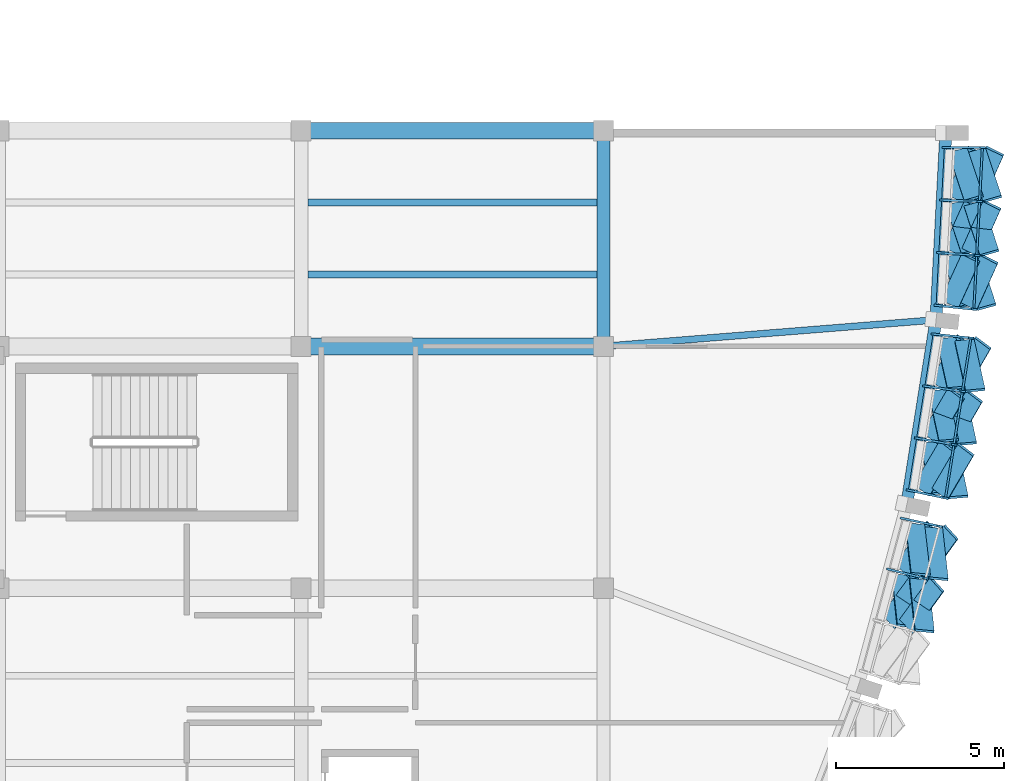
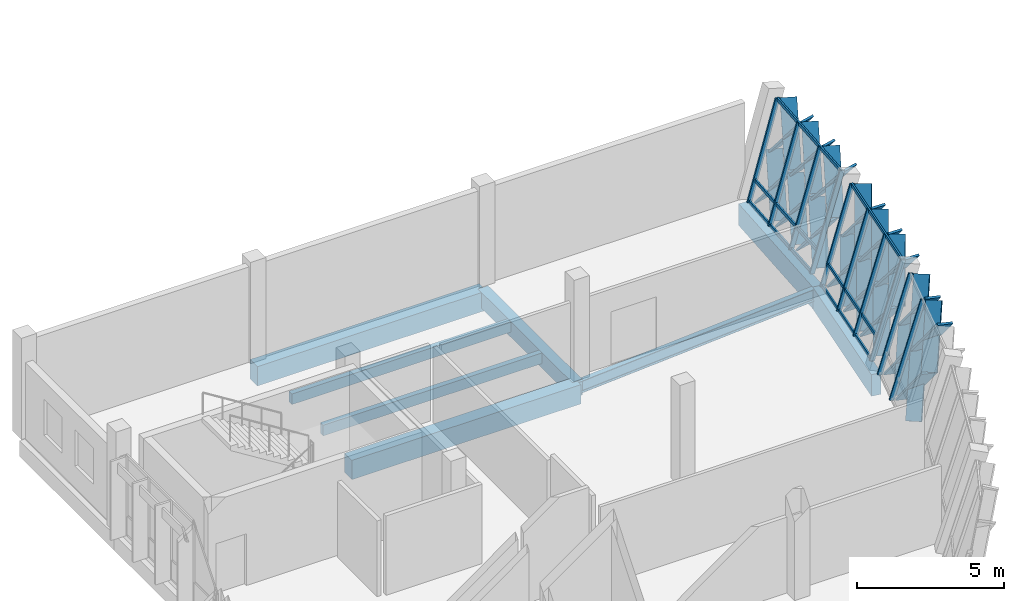
# One storey, part 57 of 107: 48 members, 8 beams, 3 elements without a shape of their own.
"""IFC4 building model written with IfcOpenShell, lengths in metres."""

from ifc_helpers import new_model, si_unit, direction, frame, origin, origin_2d, place, context, subcontext, project, spatial, rectangle, hollow_rectangle, i_section, extrude, material, material_profile, profile_set, type_object, element, aggregate, save


model = new_model("IFC4")

# Units and contexts
model_context = context("Model", 3, precision=1e-05, world=origin(), true_north=direction((0.0, 1.0)))
body_context = subcontext(model_context, "Body", "Model", "MODEL_VIEW")
ifc_project = project(units=[si_unit("LENGTHUNIT", "METRE"), si_unit("AREAUNIT", "SQUARE_METRE"), si_unit("VOLUMEUNIT", "CUBIC_METRE"), si_unit("PLANEANGLEUNIT", "RADIAN"), si_unit("MASSUNIT", "GRAM", prefix="KILO")], contexts=[model_context])

# Site, building, storey
site_placement = place(None, origin())
site = spatial("IfcSite", under=ifc_project, at=site_placement, CompositionType="ELEMENT")
building_placement = place(site_placement, origin())
building = spatial("IfcBuilding", under=site, at=building_placement, Name="Chiffa Square Polytechnic", CompositionType="ELEMENT")
storey_placement = place(building_placement, frame((0.0, 0.0, 13.800048828125)))
storey = spatial("IfcBuildingStorey", under=building, at=storey_placement, Name="L03", CompositionType="ELEMENT", Elevation=13.800048828125)

# Beams
ifc_material_1 = material(Name="Concrete C35/45", Category="concrete")
ifc_material_profile_1 = material_profile(ifc_material_1, rectangle(XDim=0.39990234375, YDim=0.64990234375, at=origin_2d()), Name="RC 400x650")
ifc_profile_set_1 = profile_set([ifc_material_profile_1], Name="Concrete C35/45")
beam_type_1 = type_object("IfcBeamType", Name="BM-RC-400X650", PredefinedType="BEAM", material=ifc_profile_set_1)
beam_1_placement = place(storey_placement, frame((166.199951171875, 51.0, -0.5849609375), z_axis=(0.0, 1.0, 0.0), x_axis=(-1.0, 0.0, 0.0)))
element("IfcBeam", 1, at=beam_1_placement, inside=storey, type_object=beam_type_1, Name="Primary floor girder BM-V1-L03-Y-1662-0510", PredefinedType="BEAM", context=body_context, shape_type="SweptSolid", body=[
    extrude(rectangle(XDim=0.39990234375, YDim=0.64990234375, at=origin_2d()), origin(), (0.0, 0.0, 1.0), 6.419921875),
])
ifc_material_2 = material(Name="Concrete C40/50", Category="concrete")
ifc_material_profile_2 = material_profile(ifc_material_2, rectangle(XDim=0.5, YDim=0.800048828125, at=origin_2d()), Name="RC 500x800")
ifc_profile_set_2 = profile_set([ifc_material_profile_2], Name="Concrete C40/50")
beam_type_2 = type_object("IfcBeamType", Name="BM-RC-500X800", PredefinedType="BEAM", material=ifc_profile_set_2)
for number, where, z_axis, x_axis, name in (
    (2, (157.199951171875, 51.0, -0.66015625), (1.0, 0.0, 0.0), (0.0, 1.0, 0.0), "Primary floor girder BM-V1-L03-X-1572-0510"),
    (3, (157.199951171875, 57.419921875, -0.66015625), (1.0, 0.0, 0.0), (0.0, 1.0, 0.0), "Primary floor girder BM-V1-L03-X-1572-0574"),
):
    element("IfcBeam", number, at=place(storey_placement, frame(where, z_axis=z_axis, x_axis=x_axis)), inside=storey, type_object=beam_type_2, Name=name, PredefinedType="BEAM", context=body_context, shape_type="SweptSolid", body=[
        extrude(rectangle(XDim=0.5, YDim=0.800048828125, at=origin_2d()), origin(), (0.0, 0.0, 1.0), 9.0),
    ])
ifc_material_3 = material(Name="Steel S355", Category="steel")
ifc_material_profile_3 = material_profile(ifc_material_3, i_section(OverallWidth=0.199951171875, OverallDepth=0.5, WebThickness=0.01025390625, FlangeThickness=0.01611328125, FilletRadius=0.02099609375, at=origin_2d()), Name="IPE 500")
ifc_profile_set_3 = profile_set([ifc_material_profile_3], Name="Steel S355")
beam_type_3 = type_object("IfcBeamType", Name="BM-STL-IPE500", PredefinedType="BEAM", material=ifc_profile_set_3)
beam_2_placement = place(storey_placement, frame((176.096923828125, 51.7900390625, -0.510009765625), z_axis=(-0.996829024707, -0.079573208445, 0.0), x_axis=(0.079573208445, -0.996829024707, 0.0)))
element("IfcBeam", 4, at=beam_2_placement, inside=storey, type_object=beam_type_3, Name="Prow radial tie girder BM-V1-RAD-L03-17", PredefinedType="BEAM", context=body_context, shape_type="SweptSolid", body=[
    extrude(i_section(OverallWidth=0.199951171875, OverallDepth=0.5, WebThickness=0.01025390625, FlangeThickness=0.01611328125, FilletRadius=0.02099609375, at=origin_2d()), origin(), (0.0, 0.0, 1.0), 9.928466796875),
])

# Curtain wall, members
ifc_material_4 = material(Name="Aluminium EN AW-6060 T66 and glulam shading", Category="wood")
curtain_wall_type_1 = type_object("IfcCurtainWallType", Name="CW-PROW-LEAN-150", PredefinedType="USERDEFINED", material=ifc_material_4)
curtain_wall_1_placement = place(storey_placement, origin())
curtain_wall_1 = element("IfcCurtainWall", 5, at=curtain_wall_1_placement, inside=storey, type_object=curtain_wall_type_1, Name="Outward-leaning diamond-fin prow curtain wall CW-V1-L03-058", ObjectType="CURTAIN WALL", PredefinedType="USERDEFINED")
ifc_material_5 = material(Name="Aluminium EN AW-6060 T66", Category="aluminium")
ifc_material_profile_4 = material_profile(ifc_material_5, hollow_rectangle(XDim=0.06494140625, YDim=0.179931640625, WallThickness=0.00390625, at=origin_2d()), Name="ALU 65x180x4")
ifc_profile_set_4 = profile_set([ifc_material_profile_4], Name="Aluminium EN AW-6060 T66")
member_type_1 = type_object("IfcMemberType", Name="CWM-ALU-75X180", PredefinedType="MULLION", material=ifc_profile_set_4)
member_1_placement = place(storey_placement, frame((174.708740234375, 44.3603515625, 0.0), z_axis=(0.263895484558, -0.065617897015, 0.962316717521), x_axis=(0.241303373084, 0.970449731897, 0.0)))
member_1 = element("IfcMember", 6, at=member_1_placement, type_object=member_type_1, Name="Leaning prow mullion CW-V1-L03-058-M02", PredefinedType="MULLION", context=body_context, shape_type="SweptSolid", body=[
    extrude(hollow_rectangle(XDim=0.06494140625, YDim=0.179931640625, WallThickness=0.00390625, at=origin_2d()), origin(), (0.0, 0.0, 1.0), 4.114990234375),
])
member_2_placement = place(storey_placement, frame((175.114990234375, 45.8759765625, 0.0), z_axis=(0.266306565017, -0.056358038932, 0.962239359451), x_axis=(0.207042834628, 0.978331878572, 0.0)))
member_2 = element("IfcMember", 7, at=member_2_placement, type_object=member_type_1, Name="Leaning prow mullion CW-V1-L03-058-M03", PredefinedType="MULLION", context=body_context, shape_type="SweptSolid", body=[
    extrude(hollow_rectangle(XDim=0.06494140625, YDim=0.179931640625, WallThickness=0.00390625, at=origin_2d()), origin(), (0.0, 0.0, 1.0), 4.115478515625),
])

curtain_wall_type_2 = type_object("IfcCurtainWallType", Name="CW-PROW-LEAN-300", PredefinedType="USERDEFINED", material=ifc_material_4)
curtain_wall_2_placement = place(storey_placement, origin())
curtain_wall_2 = element("IfcCurtainWall", 8, at=curtain_wall_2_placement, inside=storey, type_object=curtain_wall_type_2, Name="Outward-leaning diamond-fin prow curtain wall CW-V1-L03-059", ObjectType="CURTAIN WALL", PredefinedType="USERDEFINED")
member_3_placement = place(storey_placement, frame((175.29296875, 46.716064453125, 0.0), z_axis=(0.266305674184, -0.05641717446, 0.962236140624), x_axis=(0.207251417962, 0.978287713177, 0.0)))
member_3 = element("IfcMember", 9, at=member_3_placement, type_object=member_type_1, Name="Leaning prow mullion CW-V1-L03-059-M00", PredefinedType="MULLION", context=body_context, shape_type="SweptSolid", body=[
    extrude(hollow_rectangle(XDim=0.06494140625, YDim=0.179931640625, WallThickness=0.00390625, at=origin_2d()), origin(), (0.0, 0.0, 1.0), 4.115478515625),
])
member_4_placement = place(storey_placement, frame((175.538818359375, 48.265625, 0.0), z_axis=(0.267867637167, -0.047047405598, 0.962306328871), x_axis=(0.172988828933, 0.984923786424, 0.0)))
member_4 = element("IfcMember", 10, at=member_4_placement, type_object=member_type_1, Name="Leaning prow mullion CW-V1-L03-059-M01", PredefinedType="MULLION", context=body_context, shape_type="SweptSolid", body=[
    extrude(hollow_rectangle(XDim=0.06494140625, YDim=0.179931640625, WallThickness=0.00390625, at=origin_2d()), origin(), (0.0, 0.0, 1.0), 4.114990234375),
])
member_5_placement = place(storey_placement, frame((175.7841796875, 49.815185546875, 0.0), z_axis=(0.269459930796, -0.037731509464, 0.962272143881), x_axis=(0.138673506328, 0.990338153684, 0.0)))
member_5 = element("IfcMember", 11, at=member_5_placement, type_object=member_type_1, Name="Leaning prow mullion CW-V1-L03-059-M02", PredefinedType="MULLION", context=body_context, shape_type="SweptSolid", body=[
    extrude(hollow_rectangle(XDim=0.06494140625, YDim=0.179931640625, WallThickness=0.00390625, at=origin_2d()), origin(), (0.0, 0.0, 1.0), 4.115234375),
])
member_6_placement = place(storey_placement, frame((176.030029296875, 51.364990234375, 0.0), z_axis=(0.270917977705, -0.028414651045, 0.96218296439), x_axis=(0.10431069409, 0.994544759726, 0.0)))
member_6 = element("IfcMember", 12, at=member_6_placement, type_object=member_type_1, Name="Leaning prow mullion CW-V1-L03-059-M03", PredefinedType="MULLION", context=body_context, shape_type="SweptSolid", body=[
    extrude(hollow_rectangle(XDim=0.06494140625, YDim=0.179931640625, WallThickness=0.00390625, at=origin_2d()), origin(), (0.0, 0.0, 1.0), 4.11572265625),
])

curtain_wall_3_placement = place(storey_placement, origin())
curtain_wall_3 = element("IfcCurtainWall", 13, at=curtain_wall_3_placement, inside=storey, type_object=curtain_wall_type_1, Name="Outward-leaning diamond-fin prow curtain wall CW-V1-L03-060", ObjectType="CURTAIN WALL", PredefinedType="USERDEFINED")
member_7_placement = place(storey_placement, frame((176.118896484375, 52.218994140625, 0.0), z_axis=(0.270917977705, -0.028414651045, 0.96218296439), x_axis=(0.10431069409, 0.994544759726, 0.0)))
member_7 = element("IfcMember", 14, at=member_7_placement, type_object=member_type_1, Name="Leaning prow mullion CW-V1-L03-060-M00", PredefinedType="MULLION", context=body_context, shape_type="SweptSolid", body=[
    extrude(hollow_rectangle(XDim=0.06494140625, YDim=0.179931640625, WallThickness=0.00390625, at=origin_2d()), origin(), (0.0, 0.0, 1.0), 4.11572265625),
])
member_8_placement = place(storey_placement, frame((176.201416015625, 53.786376953125, 0.0), z_axis=(0.271418287686, -0.018984448538, 0.962274235249), x_axis=(0.069774881775, 0.997562762874, 0.0)))
member_8 = element("IfcMember", 15, at=member_8_placement, type_object=member_type_1, Name="Leaning prow mullion CW-V1-L03-060-M01", PredefinedType="MULLION", context=body_context, shape_type="SweptSolid", body=[
    extrude(hollow_rectangle(XDim=0.06494140625, YDim=0.179931640625, WallThickness=0.00390625, at=origin_2d()), origin(), (0.0, 0.0, 1.0), 4.115234375),
])
member_9_placement = place(storey_placement, frame((176.28369140625, 55.353759765625, 0.0), z_axis=(0.271894590821, -0.009492283337, 0.96228022324), x_axis=(0.034890373836, 0.999391145555, 0.0)))
member_9 = element("IfcMember", 16, at=member_9_placement, type_object=member_type_1, Name="Leaning prow mullion CW-V1-L03-060-M02", PredefinedType="MULLION", context=body_context, shape_type="SweptSolid", body=[
    extrude(hollow_rectangle(XDim=0.06494140625, YDim=0.179931640625, WallThickness=0.00390625, at=origin_2d()), origin(), (0.0, 0.0, 1.0), 4.115234375),
])
member_10_placement = place(storey_placement, frame((176.365966796875, 56.9208984375, 0.0), z_axis=(0.272401220417, 0.0, 0.962183753301), x_axis=(0.0, 1.0, 0.0)))
member_10 = element("IfcMember", 17, at=member_10_placement, type_object=member_type_1, Name="Leaning prow mullion CW-V1-L03-060-M03", PredefinedType="MULLION", context=body_context, shape_type="SweptSolid", body=[
    extrude(hollow_rectangle(XDim=0.06494140625, YDim=0.179931640625, WallThickness=0.00390625, at=origin_2d()), origin(), (0.0, 0.0, 1.0), 4.115478515625),
])

# Member
ifc_material_6 = material(Name="Glulam GL28h", Category="wood")
ifc_material_profile_5 = material_profile(ifc_material_6, rectangle(XDim=0.080078125, YDim=0.580078125, at=origin_2d()), Name="GL28h 80x580")
ifc_profile_set_5 = profile_set([ifc_material_profile_5], Name="Glulam GL28h")
member_type_2 = type_object("IfcMemberType", Name="CWM-GL-80X580", PredefinedType="MULLION", material=ifc_profile_set_5)
member_11_placement = place(storey_placement, frame((174.697998046875, 42.827880859375, 0.0400390625), z_axis=(0.363390996904, 0.494819725418, 0.789367102625), x_axis=(-0.659927278286, -0.461350077946, 0.593002607881)))
member_11 = element("IfcMember", 18, at=member_11_placement, type_object=member_type_2, Name="Diamond glulam fin CW-V1-L03-058-DF03A", PredefinedType="MULLION", context=body_context, shape_type="SweptSolid", body=[
    extrude(rectangle(XDim=0.080078125, YDim=0.580078125, at=origin_2d()), origin(), (0.0, 0.0, 1.0), 2.45751953125),
])

member_12_placement = place(storey_placement, frame((175.06005859375, 44.177001953125, 0.0400390625), z_axis=(0.067166332777, -0.610061069902, 0.789502485577), x_axis=(0.17380819568, 0.786344740884, 0.592834428486)))
member_12 = element("IfcMember", 19, at=member_12_placement, type_object=member_type_2, Name="Diamond glulam fin CW-V1-L03-058-DF03B", PredefinedType="MULLION", context=body_context, shape_type="SweptSolid", body=[
    extrude(rectangle(XDim=0.080078125, YDim=0.580078125, at=origin_2d()), origin(), (0.0, 0.0, 1.0), 2.457275390625),
])

member_13_placement = place(storey_placement, frame((175.22509765625, 42.677978515625, 1.97998046875), z_axis=(0.36394670261, 0.499313502276, 0.786275285193), x_axis=(-0.656512264422, -0.461296315113, 0.59682271767)))
member_13 = element("IfcMember", 20, at=member_13_placement, type_object=member_type_2, Name="Diamond glulam fin CW-V1-L03-058-DF04A", PredefinedType="MULLION", context=body_context, shape_type="SweptSolid", body=[
    extrude(rectangle(XDim=0.080078125, YDim=0.580078125, at=origin_2d()), origin(), (0.0, 0.0, 1.0), 2.46728515625),
])

member_14_placement = place(storey_placement, frame((175.591064453125, 44.0439453125, 1.97998046875), z_axis=(0.065604934995, -0.614390710986, 0.786269703574), x_axis=(0.176716982767, 0.782665677221, 0.596829578441)))
member_14 = element("IfcMember", 21, at=member_14_placement, type_object=member_type_2, Name="Diamond glulam fin CW-V1-L03-058-DF04B", PredefinedType="MULLION", context=body_context, shape_type="SweptSolid", body=[
    extrude(rectangle(XDim=0.080078125, YDim=0.580078125, at=origin_2d()), origin(), (0.0, 0.0, 1.0), 2.46728515625),
])

member_15_placement = place(storey_placement, frame((175.10400390625, 44.343994140625, 0.0400390625), z_axis=(0.364146031324, 0.499835427026, 0.785851266946), x_axis=(-0.6561619098, -0.461120630511, 0.597343546248)))
member_15 = element("IfcMember", 22, at=member_15_placement, type_object=member_type_2, Name="Diamond glulam fin CW-V1-L03-058-DF05A", PredefinedType="MULLION", context=body_context, shape_type="SweptSolid", body=[
    extrude(rectangle(XDim=0.080078125, YDim=0.580078125, at=origin_2d()), origin(), (0.0, 0.0, 1.0), 2.468505859375),
])

member_16_placement = place(storey_placement, frame((175.466064453125, 45.693115234375, 0.0400390625), z_axis=(0.069864285951, -0.605124522455, 0.793059451663), x_axis=(0.16925244246, 0.790666168987, 0.588388154147)))
member_16 = element("IfcMember", 23, at=member_16_placement, type_object=member_type_2, Name="Diamond glulam fin CW-V1-L03-058-DF05B", PredefinedType="MULLION", context=body_context, shape_type="SweptSolid", body=[
    extrude(rectangle(XDim=0.080078125, YDim=0.580078125, at=origin_2d()), origin(), (0.0, 0.0, 1.0), 2.446044921875),
])

member_17_placement = place(storey_placement, frame((175.636962890625, 44.212890625, 1.97998046875), z_axis=(0.363977470222, 0.504840198887, 0.782723945436), x_axis=(-0.652102833416, -0.461915301228, 0.601162331773)))
member_17 = element("IfcMember", 24, at=member_17_placement, type_object=member_type_2, Name="Diamond glulam fin CW-V1-L03-058-DF06A", PredefinedType="MULLION", context=body_context, shape_type="SweptSolid", body=[
    extrude(rectangle(XDim=0.080078125, YDim=0.580078125, at=origin_2d()), origin(), (0.0, 0.0, 1.0), 2.478515625),
])

member_18_placement = place(storey_placement, frame((176.0029296875, 45.577880859375, 1.97998046875), z_axis=(0.067598816287, -0.609482856849, 0.789912050322), x_axis=(0.173132135524, 0.786877464616, 0.592325180393)))
member_18 = element("IfcMember", 25, at=member_18_placement, type_object=member_type_2, Name="Diamond glulam fin CW-V1-L03-058-DF06B", PredefinedType="MULLION", context=body_context, shape_type="SweptSolid", body=[
    extrude(rectangle(XDim=0.080078125, YDim=0.580078125, at=origin_2d()), origin(), (0.0, 0.0, 1.0), 2.455810546875),
])

aggregate(curtain_wall_1, [member_1, member_2, member_11, member_12, member_13, member_14, member_15, member_16, member_17, member_18])

member_19_placement = place(storey_placement, frame((175.68798828125, 46.739990234375, 0.0400390625), z_axis=(0.309823739096, 0.524754603513, 0.792869381919), x_axis=(-0.53285128455, -0.594810176403, 0.601888995247)))
member_19 = element("IfcMember", 26, at=member_19_placement, type_object=member_type_2, Name="Diamond glulam fin CW-V1-L03-059-DF01A", PredefinedType="MULLION", context=body_context, shape_type="SweptSolid", body=[
    extrude(rectangle(XDim=0.080078125, YDim=0.580078125, at=origin_2d()), origin(), (0.0, 0.0, 1.0), 2.44677734375),
])

member_20_placement = place(storey_placement, frame((175.906982421875, 48.1201171875, 0.0400390625), z_axis=(0.128894168684, -0.604605647733, 0.786026910486), x_axis=(-0.008873901091, 0.791903857964, 0.610581307953)))
member_20 = element("IfcMember", 27, at=member_20_placement, type_object=member_type_2, Name="Diamond glulam fin CW-V1-L03-059-DF01B", PredefinedType="MULLION", context=body_context, shape_type="SweptSolid", body=[
    extrude(rectangle(XDim=0.080078125, YDim=0.580078125, at=origin_2d()), origin(), (0.0, 0.0, 1.0), 2.468017578125),
])

member_21_placement = place(storey_placement, frame((176.22509765625, 46.6279296875, 1.97998046875), z_axis=(0.3098308057, 0.52930671811, 0.789834963776), x_axis=(-0.529094868767, -0.594224871683, 0.605768455532)))
member_21 = element("IfcMember", 28, at=member_21_placement, type_object=member_type_2, Name="Diamond glulam fin CW-V1-L03-059-DF02A", PredefinedType="MULLION", context=body_context, shape_type="SweptSolid", body=[
    extrude(rectangle(XDim=0.080078125, YDim=0.580078125, at=origin_2d()), origin(), (0.0, 0.0, 1.0), 2.4560546875),
])

member_22_placement = place(storey_placement, frame((176.446044921875, 48.02392578125, 1.97998046875), z_axis=(0.127490399215, -0.608978483424, 0.782873811565), x_axis=(-0.005327808072, 0.788882906968, 0.614520441935)))
member_22 = element("IfcMember", 29, at=member_22_placement, type_object=member_type_2, Name="Diamond glulam fin CW-V1-L03-059-DF02B", PredefinedType="MULLION", context=body_context, shape_type="SweptSolid", body=[
    extrude(rectangle(XDim=0.080078125, YDim=0.580078125, at=origin_2d()), origin(), (0.0, 0.0, 1.0), 2.47802734375),
])

member_23_placement = place(storey_placement, frame((175.93408203125, 48.2900390625, 0.0400390625), z_axis=(0.309635156266, 0.530164526465, 0.789336205227), x_axis=(-0.528263344578, -0.594318152587, 0.606402318828)))
member_23 = element("IfcMember", 30, at=member_23_placement, type_object=member_type_2, Name="Diamond glulam fin CW-V1-L03-059-DF03A", PredefinedType="MULLION", context=body_context, shape_type="SweptSolid", body=[
    extrude(rectangle(XDim=0.080078125, YDim=0.580078125, at=origin_2d()), origin(), (0.0, 0.0, 1.0), 2.457763671875),
])

member_24_placement = place(storey_placement, frame((176.152099609375, 49.669921875, 0.0400390625), z_axis=(0.131035368342, -0.5997426222, 0.789391233394), x_axis=(-0.013592423992, 0.795095102638, 0.606332436681)))
member_24 = element("IfcMember", 31, at=member_24_placement, type_object=member_type_2, Name="Diamond glulam fin CW-V1-L03-059-DF03B", PredefinedType="MULLION", context=body_context, shape_type="SweptSolid", body=[
    extrude(rectangle(XDim=0.080078125, YDim=0.580078125, at=origin_2d()), origin(), (0.0, 0.0, 1.0), 2.45751953125),
])

member_25_placement = place(storey_placement, frame((176.47412109375, 48.196044921875, 1.97998046875), z_axis=(0.309566570299, 0.534939739728, 0.786134857014), x_axis=(-0.524302696939, -0.593685695197, 0.610445720193)))
member_25 = element("IfcMember", 32, at=member_25_placement, type_object=member_type_2, Name="Diamond glulam fin CW-V1-L03-059-DF04A", PredefinedType="MULLION", context=body_context, shape_type="SweptSolid", body=[
    extrude(rectangle(XDim=0.080078125, YDim=0.580078125, at=origin_2d()), origin(), (0.0, 0.0, 1.0), 2.4677734375),
])

member_26_placement = place(storey_placement, frame((176.695068359375, 49.593017578125, 1.97998046875), z_axis=(0.129255521902, -0.60401719002, 0.786419890528), x_axis=(-0.009565504206, 0.79227633162, 0.610087465438)))
member_26 = element("IfcMember", 33, at=member_26_placement, type_object=member_type_2, Name="Diamond glulam fin CW-V1-L03-059-DF04B", PredefinedType="MULLION", context=body_context, shape_type="SweptSolid", body=[
    extrude(rectangle(XDim=0.080078125, YDim=0.580078125, at=origin_2d()), origin(), (0.0, 0.0, 1.0), 2.466796875),
])

member_27_placement = place(storey_placement, frame((176.178955078125, 49.840087890625, 0.0400390625), z_axis=(0.309964527166, 0.535069589013, 0.785889640351), x_axis=(-0.524449489, -0.593239161817, 0.610753657684)))
member_27 = element("IfcMember", 34, at=member_27_placement, type_object=member_type_2, Name="Diamond glulam fin CW-V1-L03-059-DF05A", PredefinedType="MULLION", context=body_context, shape_type="SweptSolid", body=[
    extrude(rectangle(XDim=0.080078125, YDim=0.580078125, at=origin_2d()), origin(), (0.0, 0.0, 1.0), 2.468505859375),
])

member_28_placement = place(storey_placement, frame((176.39794921875, 51.219970703125, 0.0400390625), z_axis=(0.132813381233, -0.594716568106, 0.792888901036), x_axis=(-0.018011488958, 0.798395527795, 0.601863911082)))
member_28 = element("IfcMember", 35, at=member_28_placement, type_object=member_type_2, Name="Diamond glulam fin CW-V1-L03-059-DF05B", PredefinedType="MULLION", context=body_context, shape_type="SweptSolid", body=[
    extrude(rectangle(XDim=0.080078125, YDim=0.580078125, at=origin_2d()), origin(), (0.0, 0.0, 1.0), 2.44677734375),
])

member_29_placement = place(storey_placement, frame((176.722900390625, 49.764892578125, 1.97998046875), z_axis=(0.309511677469, 0.539921548124, 0.782743408392), x_axis=(-0.520206745008, -0.592916860635, 0.614682469916)))
member_29 = element("IfcMember", 36, at=member_29_placement, type_object=member_type_2, Name="Diamond glulam fin CW-V1-L03-059-DF06A", PredefinedType="MULLION", context=body_context, shape_type="SweptSolid", body=[
    extrude(rectangle(XDim=0.080078125, YDim=0.580078125, at=origin_2d()), origin(), (0.0, 0.0, 1.0), 2.478271484375),
])

member_30_placement = place(storey_placement, frame((176.944091796875, 51.160888671875, 1.97998046875), z_axis=(0.131129062431, -0.598978469405, 0.789955671019), x_axis=(-0.014041844145, 0.795633980231, 0.605614890929)))
member_30 = element("IfcMember", 37, at=member_30_placement, type_object=member_type_2, Name="Diamond glulam fin CW-V1-L03-059-DF06B", PredefinedType="MULLION", context=body_context, shape_type="SweptSolid", body=[
    extrude(rectangle(XDim=0.080078125, YDim=0.580078125, at=origin_2d()), origin(), (0.0, 0.0, 1.0), 2.455810546875),
])

member_31_placement = place(storey_placement, frame((176.509033203125, 52.283935546875, 0.0400390625), z_axis=(0.253726362935, 0.554147156799, 0.79280758155), x_axis=(-0.377182744772, -0.698064808027, 0.608636756071)))
member_31 = element("IfcMember", 38, at=member_31_placement, type_object=member_type_2, Name="Diamond glulam fin CW-V1-L03-060-DF01A", PredefinedType="MULLION", context=body_context, shape_type="SweptSolid", body=[
    extrude(rectangle(XDim=0.080078125, YDim=0.580078125, at=origin_2d()), origin(), (0.0, 0.0, 1.0), 2.447021484375),
])

member_32_placement = place(storey_placement, frame((176.5830078125, 53.679931640625, 0.0400390625), z_axis=(0.191549764919, -0.588098323166, 0.785779262801), x_axis=(-0.19325708815, 0.762331013926, 0.617659390834)))
member_32 = element("IfcMember", 39, at=member_32_placement, type_object=member_type_2, Name="Diamond glulam fin CW-V1-L03-060-DF01B", PredefinedType="MULLION", context=body_context, shape_type="SweptSolid", body=[
    extrude(rectangle(XDim=0.080078125, YDim=0.580078125, at=origin_2d()), origin(), (0.0, 0.0, 1.0), 2.46875),
])

member_33_placement = place(storey_placement, frame((177.055908203125, 52.22802734375, 1.97998046875), z_axis=(0.25283695405, 0.558944587098, 0.789717939026), x_axis=(-0.37271438833, -0.696971475869, 0.612629371281)))
member_33 = element("IfcMember", 40, at=member_33_placement, type_object=member_type_2, Name="Diamond glulam fin CW-V1-L03-060-DF02A", PredefinedType="MULLION", context=body_context, shape_type="SweptSolid", body=[
    extrude(rectangle(XDim=0.080078125, YDim=0.580078125, at=origin_2d()), origin(), (0.0, 0.0, 1.0), 2.45654296875),
])

member_34_placement = place(storey_placement, frame((177.1298828125, 53.639892578125, 1.97998046875), z_axis=(0.190541024848, -0.592312637739, 0.782853662587), x_axis=(-0.189586872075, 0.760248033254, 0.621353157125)))
member_34 = element("IfcMember", 41, at=member_34_placement, type_object=member_type_2, Name="Diamond glulam fin CW-V1-L03-060-DF02B", PredefinedType="MULLION", context=body_context, shape_type="SweptSolid", body=[
    extrude(rectangle(XDim=0.080078125, YDim=0.580078125, at=origin_2d()), origin(), (0.0, 0.0, 1.0), 2.47802734375),
])

member_35_placement = place(storey_placement, frame((176.592041015625, 53.85205078125, 0.0400390625), z_axis=(0.252631586222, 0.559504952261, 0.789386781013), x_axis=(-0.372103570685, -0.696923729892, 0.613054848604)))
member_35 = element("IfcMember", 42, at=member_35_placement, type_object=member_type_2, Name="Diamond glulam fin CW-V1-L03-060-DF03A", PredefinedType="MULLION", context=body_context, shape_type="SweptSolid", body=[
    extrude(rectangle(XDim=0.080078125, YDim=0.580078125, at=origin_2d()), origin(), (0.0, 0.0, 1.0), 2.45751953125),
])

member_36_placement = place(storey_placement, frame((176.6650390625, 55.2470703125, 0.0400390625), z_axis=(0.192834955145, -0.582776840226, 0.789421202256), x_axis=(-0.197961746264, 0.764871946995, 0.61301064568)))
member_36 = element("IfcMember", 43, at=member_36_placement, type_object=member_type_2, Name="Diamond glulam fin CW-V1-L03-060-DF03B", PredefinedType="MULLION", context=body_context, shape_type="SweptSolid", body=[
    extrude(rectangle(XDim=0.080078125, YDim=0.580078125, at=origin_2d()), origin(), (0.0, 0.0, 1.0), 2.45751953125),
])

member_37_placement = place(storey_placement, frame((177.138916015625, 53.81494140625, 1.97998046875), z_axis=(0.252111665901, 0.564183955638, 0.786216364697), x_axis=(-0.36810307361, -0.695472676903, 0.617104434339)))
member_37 = element("IfcMember", 44, at=member_37_placement, type_object=member_type_2, Name="Diamond glulam fin CW-V1-L03-060-DF04A", PredefinedType="MULLION", context=body_context, shape_type="SweptSolid", body=[
    extrude(rectangle(XDim=0.080078125, YDim=0.580078125, at=origin_2d()), origin(), (0.0, 0.0, 1.0), 2.467529296875),
])

member_38_placement = place(storey_placement, frame((177.212890625, 55.22705078125, 1.97998046875), z_axis=(0.191778769583, -0.587310112217, 0.786312746702), x_axis=(-0.193992278419, 0.762692769994, 0.616981956392)))
member_38 = element("IfcMember", 45, at=member_38_placement, type_object=member_type_2, Name="Diamond glulam fin CW-V1-L03-060-DF04B", PredefinedType="MULLION", context=body_context, shape_type="SweptSolid", body=[
    extrude(rectangle(XDim=0.080078125, YDim=0.580078125, at=origin_2d()), origin(), (0.0, 0.0, 1.0), 2.467041015625),
])

member_39_placement = place(storey_placement, frame((176.674072265625, 55.419921875, 0.0400390625), z_axis=(0.251906449422, 0.564737269808, 0.78588482415), x_axis=(-0.367503508924, -0.695416062797, 0.617525441203)))
member_39 = element("IfcMember", 46, at=member_39_placement, type_object=member_type_2, Name="Diamond glulam fin CW-V1-L03-060-DF05A", PredefinedType="MULLION", context=body_context, shape_type="SweptSolid", body=[
    extrude(rectangle(XDim=0.080078125, YDim=0.580078125, at=origin_2d()), origin(), (0.0, 0.0, 1.0), 2.468505859375),
])

member_40_placement = place(storey_placement, frame((176.7470703125, 56.81494140625, 0.0400390625), z_axis=(0.194101230738, -0.577513533305, 0.792970889173), x_axis=(-0.202673836101, 0.767295820203, 0.608424556095)))
member_40 = element("IfcMember", 47, at=member_40_placement, type_object=member_type_2, Name="Diamond glulam fin CW-V1-L03-060-DF05B", PredefinedType="MULLION", context=body_context, shape_type="SweptSolid", body=[
    extrude(rectangle(XDim=0.080078125, YDim=0.580078125, at=origin_2d()), origin(), (0.0, 0.0, 1.0), 2.446533203125),
])

member_41_placement = place(storey_placement, frame((177.221923828125, 55.402099609375, 1.97998046875), z_axis=(0.251396898232, 0.569287882008, 0.782758524041), x_axis=(-0.363648263364, -0.693924817684, 0.621472676756)))
member_41 = element("IfcMember", 48, at=member_41_placement, type_object=member_type_2, Name="Diamond glulam fin CW-V1-L03-060-DF06A", PredefinedType="MULLION", context=body_context, shape_type="SweptSolid", body=[
    extrude(rectangle(XDim=0.080078125, YDim=0.580078125, at=origin_2d()), origin(), (0.0, 0.0, 1.0), 2.478271484375),
])

member_42_placement = place(storey_placement, frame((177.2958984375, 56.81396484375, 1.97998046875), z_axis=(0.193031136321, -0.58217475048, 0.789817409478), x_axis=(-0.198554364967, 0.765126201576, 0.612501477397)))
member_42 = element("IfcMember", 49, at=member_42_placement, type_object=member_type_2, Name="Diamond glulam fin CW-V1-L03-060-DF06B", PredefinedType="MULLION", context=body_context, shape_type="SweptSolid", body=[
    extrude(rectangle(XDim=0.080078125, YDim=0.580078125, at=origin_2d()), origin(), (0.0, 0.0, 1.0), 2.456298828125),
])

ifc_material_profile_6 = material_profile(ifc_material_5, hollow_rectangle(XDim=0.06494140625, YDim=0.139892578125, WallThickness=0.00390625, at=origin_2d()), Name="ALU 65x140x4")
ifc_profile_set_6 = profile_set([ifc_material_profile_6], Name="Aluminium EN AW-6060 T66")
member_type_3 = type_object("IfcMemberType", Name="CWT-ALU-75X140", PredefinedType="USERDEFINED", material=ifc_profile_set_6)
member_43_placement = place(storey_placement, frame((175.30419921875, 46.713623046875, 0.0400390625), z_axis=(0.156548360343, 0.98767029462, 0.0), x_axis=(-0.98767029462, 0.156548360343, 0.0)))
member_43 = element("IfcMember", 50, at=member_43_placement, type_object=member_type_3, Name="Leaning prow transom CW-V1-L03-059-T01", ObjectType="TRANSOM", PredefinedType="USERDEFINED", context=body_context, shape_type="SweptSolid", body=[
    extrude(hollow_rectangle(XDim=0.06494140625, YDim=0.139892578125, WallThickness=0.00390625, at=origin_2d()), origin(), (0.0, 0.0, 1.0), 4.708251953125),
])

member_44_placement = place(storey_placement, frame((175.5283203125, 46.666259765625, 0.849853515625), z_axis=(0.156587805792, 0.987664041604, 0.0), x_axis=(-0.987664041604, 0.156587805792, 0.0)))
member_44 = element("IfcMember", 51, at=member_44_placement, type_object=member_type_3, Name="Leaning prow transom CW-V1-L03-059-T02", ObjectType="TRANSOM", PredefinedType="USERDEFINED", context=body_context, shape_type="SweptSolid", body=[
    extrude(hollow_rectangle(XDim=0.06494140625, YDim=0.139892578125, WallThickness=0.00390625, at=origin_2d()), origin(), (0.0, 0.0, 1.0), 4.73193359375),
])

member_45_placement = place(storey_placement, frame((176.3779296875, 46.486328125, 3.919921875), z_axis=(0.156734623635, 0.987640753389, 0.0), x_axis=(-0.987640753389, 0.156734623635, 0.0)))
member_45 = element("IfcMember", 52, at=member_45_placement, type_object=member_type_3, Name="Leaning prow transom CW-V1-L03-059-T03", ObjectType="TRANSOM", PredefinedType="USERDEFINED", context=body_context, shape_type="SweptSolid", body=[
    extrude(hollow_rectangle(XDim=0.06494140625, YDim=0.139892578125, WallThickness=0.00390625, at=origin_2d()), origin(), (0.0, 0.0, 1.0), 4.822509765625),
])

aggregate(curtain_wall_2, [member_3, member_4, member_5, member_6, member_43, member_44, member_45, member_19, member_20, member_21, member_22, member_23, member_24, member_25, member_26, member_27, member_28, member_29, member_30])

member_46_placement = place(storey_placement, frame((176.13037109375, 52.2177734375, 0.0400390625), z_axis=(0.052409186921, 0.998625694205, 0.0), x_axis=(-0.998625694205, 0.052409186921, 0.0)))
member_46 = element("IfcMember", 53, at=member_46_placement, type_object=member_type_3, Name="Leaning prow transom CW-V1-L03-060-T01", ObjectType="TRANSOM", PredefinedType="USERDEFINED", context=body_context, shape_type="SweptSolid", body=[
    extrude(hollow_rectangle(XDim=0.06494140625, YDim=0.139892578125, WallThickness=0.00390625, at=origin_2d()), origin(), (0.0, 0.0, 1.0), 4.709716796875),
])

member_47_placement = place(storey_placement, frame((176.3583984375, 52.19384765625, 0.849853515625), z_axis=(0.052453257814, 0.998623380331, 0.0), x_axis=(-0.998623380331, 0.052453257814, 0.0)))
member_47 = element("IfcMember", 54, at=member_47_placement, type_object=member_type_3, Name="Leaning prow transom CW-V1-L03-060-T02", ObjectType="TRANSOM", PredefinedType="USERDEFINED", context=body_context, shape_type="SweptSolid", body=[
    extrude(hollow_rectangle(XDim=0.06494140625, YDim=0.139892578125, WallThickness=0.00390625, at=origin_2d()), origin(), (0.0, 0.0, 1.0), 4.733642578125),
])

member_48_placement = place(storey_placement, frame((177.22265625, 52.103271484375, 3.919921875), z_axis=(0.052428680844, 0.998624670947, 0.0), x_axis=(-0.998624670947, 0.052428680844, 0.0)))
member_48 = element("IfcMember", 55, at=member_48_placement, type_object=member_type_3, Name="Leaning prow transom CW-V1-L03-060-T03", ObjectType="TRANSOM", PredefinedType="USERDEFINED", context=body_context, shape_type="SweptSolid", body=[
    extrude(hollow_rectangle(XDim=0.06494140625, YDim=0.139892578125, WallThickness=0.00390625, at=origin_2d()), origin(), (0.0, 0.0, 1.0), 4.82421875),
])

aggregate(curtain_wall_3, [member_7, member_8, member_9, member_10, member_46, member_47, member_48, member_31, member_32, member_33, member_34, member_35, member_36, member_37, member_38, member_39, member_40, member_41, member_42])

# Beams
ifc_material_profile_7 = material_profile(ifc_material_6, rectangle(XDim=0.199951171875, YDim=0.43994140625, at=origin_2d()), Name="GL28h 200x440")
ifc_profile_set_7 = profile_set([ifc_material_profile_7], Name="Glulam GL28h")
beam_type_4 = type_object("IfcBeamType", Name="JST-GL-200X440", PredefinedType="JOIST", material=ifc_profile_set_7)
for number, where, z_axis, x_axis, name in (
    (56, (157.39794921875, 53.139892578125, -0.47998046875), (1.0, 0.0, 0.0), (0.0, 1.0, 0.0), "Secondary floor joist JST-V1-L03-1572-0531"),
    (57, (157.39794921875, 55.280029296875, -0.47998046875), (1.0, 0.0, 0.0), (0.0, 1.0, 0.0), "Secondary floor joist JST-V1-L03-1572-0553"),
):
    element("IfcBeam", number, at=place(storey_placement, frame(where, z_axis=z_axis, x_axis=x_axis)), inside=storey, type_object=beam_type_4, Name=name, PredefinedType="JOIST", context=body_context, shape_type="SweptSolid", body=[
        extrude(rectangle(XDim=0.199951171875, YDim=0.43994140625, at=origin_2d()), origin(), (0.0, 0.0, 1.0), 8.60400390625),
    ])
ifc_material_7 = material(Name="Glulam GL32c", Category="wood")
ifc_material_profile_8 = material_profile(ifc_material_7, rectangle(XDim=0.360107421875, YDim=0.89990234375, at=origin_2d()), Name="GL32c 360x900")
ifc_profile_set_8 = profile_set([ifc_material_profile_8], Name="Glulam GL32c")
beam_type_5 = type_object("IfcBeamType", Name="RB-GL-360X900", PredefinedType="SPANDREL", material=ifc_profile_set_8)
for number, where, z_axis, x_axis, name in (
    (58, (175.22607421875, 46.291015625, -0.7099609375), (0.156415166622, 0.987691396971, 0.0), (-0.987691396971, 0.156415166622, 0.0), "Prow perimeter edge beam RB-V1-PROW-L03-16"),
    (59, (176.096923828125, 51.7900390625, -0.7099609375), (0.052268841459, 0.99863304983, 0.0), (-0.99863304983, 0.052268841459, 0.0), "Prow perimeter edge beam RB-V1-PROW-L03-17"),
):
    element("IfcBeam", number, at=place(storey_placement, frame(where, z_axis=z_axis, x_axis=x_axis)), inside=storey, type_object=beam_type_5, Name=name, PredefinedType="SPANDREL", context=body_context, shape_type="SweptSolid", body=[
        extrude(rectangle(XDim=0.360107421875, YDim=0.89990234375, at=origin_2d()), origin(), (0.0, 0.0, 1.0), 5.567626953125),
    ])

save(model, "model.ifc")
